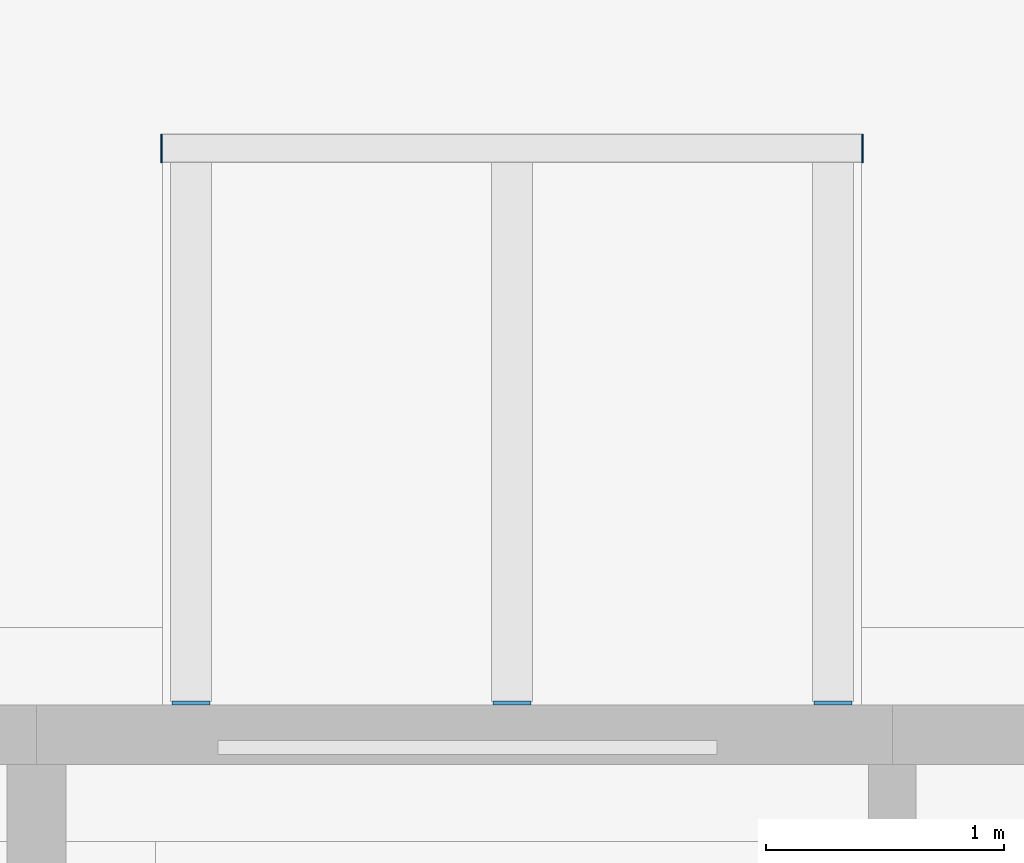
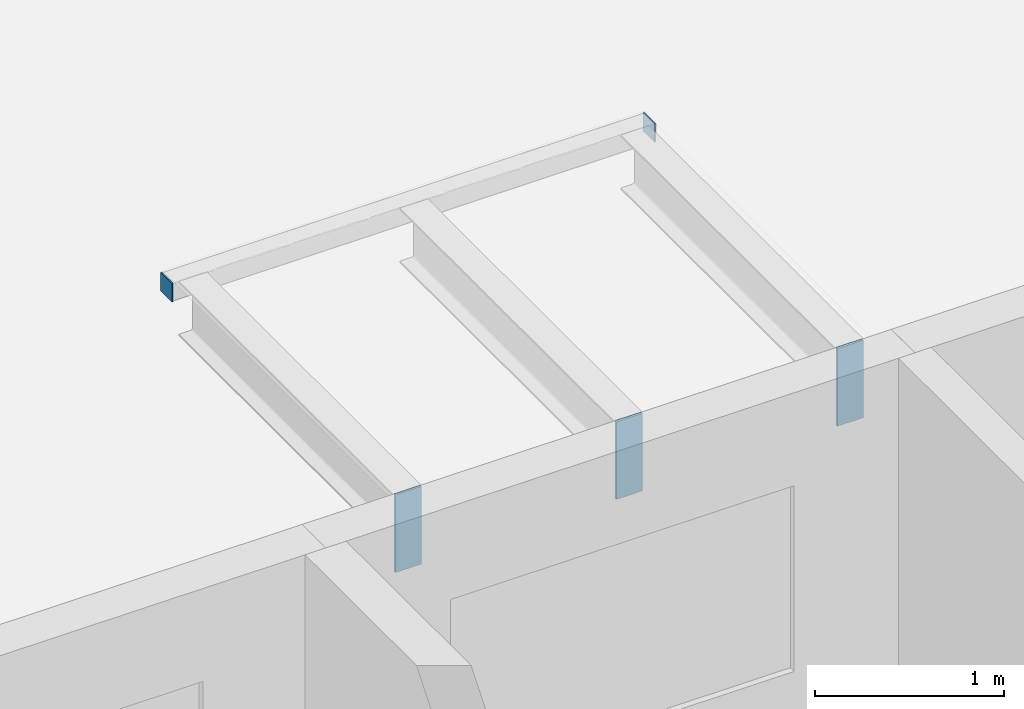
# One storey, part 84 of 112: 5 discrete accessories.
"""IFC4 building model written with IfcOpenShell, lengths in metres."""

from ifc_helpers import new_model, si_unit, direction, frame, origin, origin_2d, place, context, subcontext, project, spatial, rectangle, extrude, material, layer, layer_set, type_object, element, save


model = new_model("IFC4")

# Units and contexts
model_context = context("Model", 3, precision=1e-05, world=origin(), true_north=direction((0.0, 1.0)))
body_context = subcontext(model_context, "Body", "Model", "MODEL_VIEW")
ifc_project = project(units=[si_unit("LENGTHUNIT", "METRE"), si_unit("AREAUNIT", "SQUARE_METRE"), si_unit("VOLUMEUNIT", "CUBIC_METRE"), si_unit("PLANEANGLEUNIT", "RADIAN"), si_unit("MASSUNIT", "GRAM", prefix="KILO")], contexts=[model_context])

# Site, building, storey
site_placement = place(None, origin())
site = spatial("IfcSite", under=ifc_project, at=site_placement, CompositionType="ELEMENT")
building_placement = place(site_placement, origin())
building = spatial("IfcBuilding", under=site, at=building_placement, Name="Ridgestep Commons", CompositionType="ELEMENT")
storey_placement = place(building_placement, origin())
storey = spatial("IfcBuildingStorey", under=building, at=storey_placement, Name="L00", CompositionType="ELEMENT", Elevation=0.0)

# Discrete accessories
ifc_material_1 = material(Name="Weathering steel S355J2W", Category="steel")
ifc_layer_1 = layer(ifc_material_1, 0.014892578125)
ifc_layer_set_1 = layer_set([ifc_layer_1], Name="Tray bracket plate 15")
discrete_accessory_type_1 = type_object("IfcDiscreteAccessoryType", Name="Tray bracket plate 15", PredefinedType="BRACKET", material=ifc_layer_set_1)
for number, where, z_axis, x_axis, name in (
    (1, (89.449951171875, 77.257568359375, 2.488525390625), (0.0, 0.0, 1.0), (1.0, 0.0, 0.0), "Tray bracket B5T2-01.1"),
    (2, (90.800048828125, 77.257568359375, 2.488525390625), (0.0, 0.0, 1.0), (1.0, 0.0, 0.0), "Tray bracket B5T2-01.2"),
    (3, (92.14990234375, 77.257568359375, 2.488525390625), (0.0, 0.0, 1.0), (1.0, 0.0, 0.0), "Tray bracket B5T2-01.3"),
):
    element("IfcDiscreteAccessory", number, at=place(storey_placement, frame(where, z_axis=z_axis, x_axis=x_axis)), inside=storey, type_object=discrete_accessory_type_1, Name=name, PredefinedType="BRACKET", context=body_context, shape_type="SweptSolid", body=[
        extrude(rectangle(XDim=0.159912109375, YDim=0.014892578125, at=origin_2d()), origin(), (0.0, 0.0, 1.0), 0.50146484375),
    ])
ifc_material_2 = material(Name="Weathering steel S355J2W", Category="steel")
ifc_layer_2 = layer(ifc_material_2, 0.008056640625)
ifc_layer_set_2 = layer_set([ifc_layer_2], Name="Tray edge member end plate 120 x 120 x 8")
discrete_accessory_type_2 = type_object("IfcDiscreteAccessoryType", Name="Tray edge member end plate 120 x 120 x 8", PredefinedType="BRACKET", material=ifc_layer_set_2)
for number, where, z_axis, x_axis, name in (
    (4, (89.325927734375, 79.590087890625, 2.869873046875), (0.0, 0.0, 1.0), (1.0, 0.0, 0.0), "Tray edge member end plate B5T2-01 west"),
    (5, (92.27392578125, 79.590087890625, 2.869873046875), (0.0, 0.0, 1.0), (1.0, 0.0, 0.0), "Tray edge member end plate B5T2-01 east"),
):
    element("IfcDiscreteAccessory", number, at=place(storey_placement, frame(where, z_axis=z_axis, x_axis=x_axis)), inside=storey, type_object=discrete_accessory_type_2, Name=name, PredefinedType="BRACKET", context=body_context, shape_type="SweptSolid", body=[
        extrude(rectangle(XDim=0.008056640625, YDim=0.1201171875, at=origin_2d()), origin(), (0.0, 0.0, 1.0), 0.1201171875),
    ])

save(model, "model.ifc")
